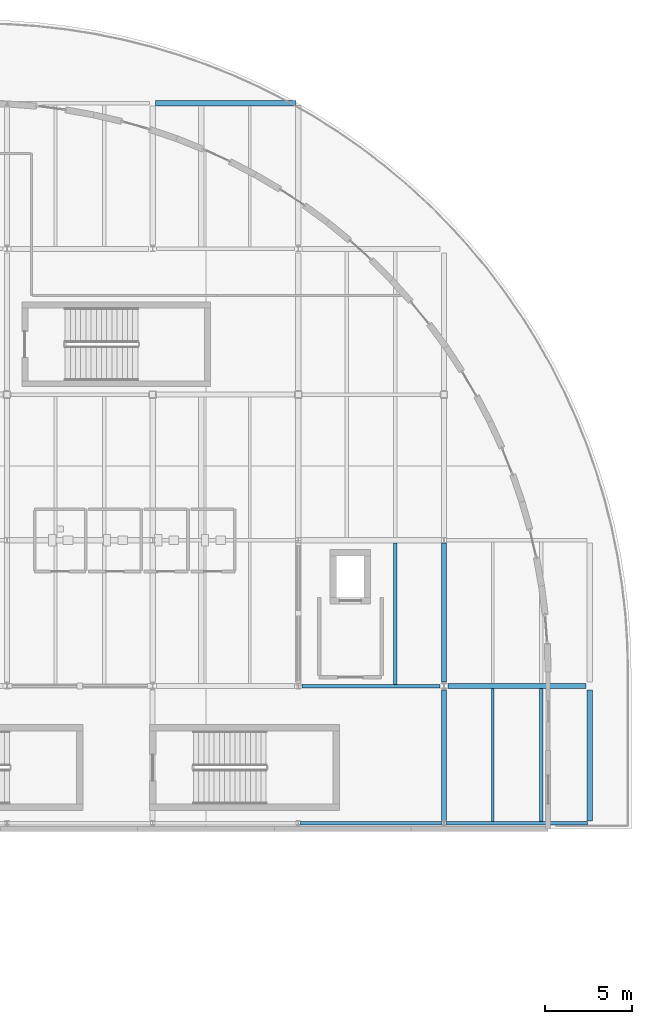
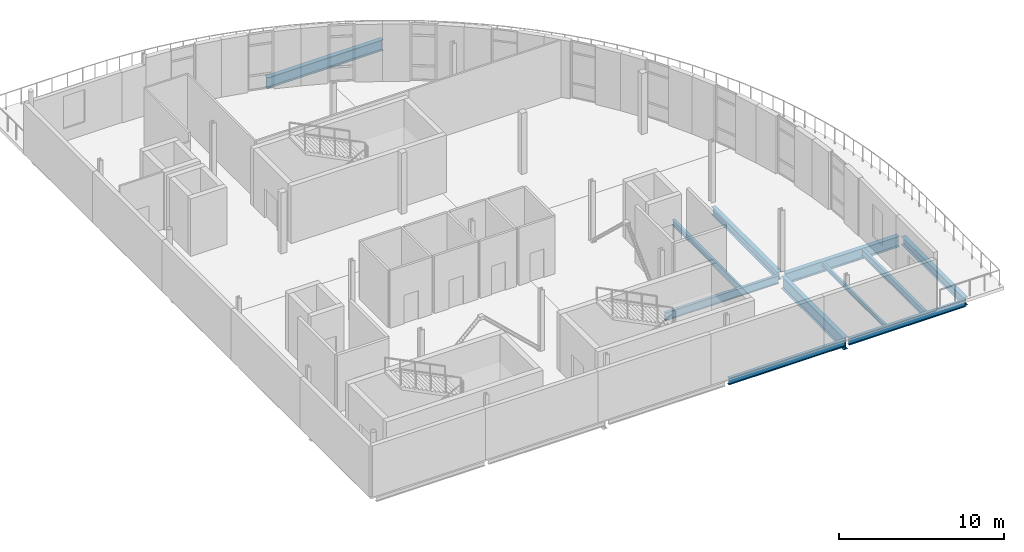
# One storey, part 12 of 40: 11 beams.
"""IFC4 building model written with IfcOpenShell, lengths in metres."""

from ifc_helpers import new_model, si_unit, direction, frame, origin, origin_2d, place, context, subcontext, project, spatial, i_section, extrude, material, material_profile, profile_set, type_object, element, save


model = new_model("IFC4")

# Units and contexts
model_context = context("Model", 3, precision=1e-05, world=origin(), true_north=direction((0.0, 1.0)))
body_context = subcontext(model_context, "Body", "Model", "MODEL_VIEW")
ifc_project = project(units=[si_unit("LENGTHUNIT", "METRE"), si_unit("AREAUNIT", "SQUARE_METRE"), si_unit("VOLUMEUNIT", "CUBIC_METRE"), si_unit("PLANEANGLEUNIT", "RADIAN"), si_unit("MASSUNIT", "GRAM", prefix="KILO"), si_unit("THERMODYNAMICTEMPERATUREUNIT", "KELVIN")], contexts=[model_context])

# Site, building, storey
site_placement = place(None, origin())
site = spatial("IfcSite", under=ifc_project, at=site_placement, CompositionType="ELEMENT")
building_placement = place(site_placement, origin())
building = spatial("IfcBuilding", under=site, at=building_placement, Name="Lustrewick Department Store", CompositionType="ELEMENT")
storey_placement = place(building_placement, frame((0.0, 0.0, 31.800048828125)))
storey = spatial("IfcBuildingStorey", under=building, at=storey_placement, Name="L07", CompositionType="ELEMENT", Elevation=31.800048828125)

# Beams
ifc_material_1 = material(Name="Structural steel Q355B", Category="steel")
ifc_material_profile_1 = material_profile(ifc_material_1, i_section(OverallWidth=0.199951171875, OverallDepth=0.5, WebThickness=0.010009765625, FlangeThickness=0.01611328125, FilletRadius=0.01611328125, at=origin_2d()), Name="HN 500x200x10x16")
ifc_profile_set_1 = profile_set([ifc_material_profile_1], Name="Structural steel Q355B")
beam_type_1 = type_object("IfcBeamType", Name="B01", PredefinedType="JOIST", material=ifc_profile_set_1)
beam_1_placement = place(storey_placement, frame((148.39990234375, 51.00048828125, -0.505126953125), z_axis=(0.0, 1.0, 0.0), x_axis=(-1.0, 0.0, 0.0)))
element("IfcBeam", 1, at=beam_1_placement, inside=storey, type_object=beam_type_1, Name="L07 V4 Secondary Joist B01", PredefinedType="JOIST", context=body_context, shape_type="SweptSolid", body=[
    extrude(i_section(OverallWidth=0.199951171875, OverallDepth=0.5, WebThickness=0.010009765625, FlangeThickness=0.01611328125, FilletRadius=0.01611328125, at=origin_2d()), origin(), (0.0, 0.0, 1.0), 7.6494140625),
])
ifc_material_profile_2 = material_profile(ifc_material_1, i_section(OverallWidth=0.198974609375, OverallDepth=0.39599609375, WebThickness=0.007080078125, FlangeThickness=0.010986328125, FilletRadius=0.013916015625, at=origin_2d()), Name="HN 396x199x7x11")
ifc_profile_set_2 = profile_set([ifc_material_profile_2], Name="Structural steel Q355B")
beam_type_2 = type_object("IfcBeamType", Name="B06", PredefinedType="JOIST", material=ifc_profile_set_2)
beam_2_placement = place(storey_placement, frame((140.0, 58.900390625, -0.453125), z_axis=(0.0, 1.0, 0.0), x_axis=(-1.0, 0.0, 0.0)))
element("IfcBeam", 2, at=beam_2_placement, inside=storey, type_object=beam_type_2, Name="L07 V4 Secondary Joist B06", PredefinedType="JOIST", context=body_context, shape_type="SweptSolid", body=[
    extrude(i_section(OverallWidth=0.198974609375, OverallDepth=0.39599609375, WebThickness=0.007080078125, FlangeThickness=0.010986328125, FilletRadius=0.013916015625, at=origin_2d()), origin(), (0.0, 0.0, 1.0), 8.149658203125),
])
ifc_material_profile_3 = material_profile(ifc_material_1, i_section(OverallWidth=0.14990234375, OverallDepth=0.300048828125, WebThickness=0.006591796875, FlangeThickness=0.009033203125, FilletRadius=0.011962890625, at=origin_2d()), Name="HN 300x150x6.5x9")
ifc_profile_set_3 = profile_set([ifc_material_profile_3], Name="Structural steel Q355B")
beam_type_3 = type_object("IfcBeamType", Name="B11", PredefinedType="JOIST", material=ifc_profile_set_3)
beam_3_placement = place(storey_placement, frame((145.60009765625, 51.00048828125, -0.405029296875), z_axis=(0.0, 1.0, 0.0), x_axis=(-1.0, 0.0, 0.0)))
element("IfcBeam", 3, at=beam_3_placement, inside=storey, type_object=beam_type_3, Name="L07 V4 Secondary Joist B11", PredefinedType="JOIST", context=body_context, shape_type="SweptSolid", body=[
    extrude(i_section(OverallWidth=0.14990234375, OverallDepth=0.300048828125, WebThickness=0.006591796875, FlangeThickness=0.009033203125, FilletRadius=0.011962890625, at=origin_2d()), origin(), (0.0, 0.0, 1.0), 7.6494140625),
])
ifc_material_2 = material(Name="Structural steel Q355C", Category="steel")
ifc_material_profile_4 = material_profile(ifc_material_2, i_section(OverallWidth=0.300048828125, OverallDepth=0.89990234375, WebThickness=0.01611328125, FlangeThickness=0.028076171875, FilletRadius=0.02392578125, at=origin_2d()), Name="HN 900x300x16x28")
ifc_profile_set_4 = profile_set([ifc_material_profile_4], Name="Structural steel Q355C")
beam_type_4 = type_object("IfcBeamType", Name="G02", PredefinedType="BEAM", material=ifc_profile_set_4)
beam_4_placement = place(storey_placement, frame((142.800048828125, 51.02490234375, -0.705078125), z_axis=(0.0, 1.0, 0.0), x_axis=(-1.0, 0.0, 0.0)))
element("IfcBeam", 4, at=beam_4_placement, inside=storey, type_object=beam_type_4, Name="L07 V4 Girder G02", PredefinedType="BEAM", context=body_context, shape_type="SweptSolid", body=[
    extrude(i_section(OverallWidth=0.300048828125, OverallDepth=0.89990234375, WebThickness=0.01611328125, FlangeThickness=0.028076171875, FilletRadius=0.02392578125, at=origin_2d()), origin(), (0.0, 0.0, 1.0), 7.550048828125),
])
ifc_material_profile_5 = material_profile(ifc_material_2, i_section(OverallWidth=0.302001953125, OverallDepth=0.80810546875, WebThickness=0.01611328125, FlangeThickness=0.030029296875, FilletRadius=0.02197265625, at=origin_2d()), Name="HN 808x302x16x30")
ifc_profile_set_5 = profile_set([ifc_material_profile_5], Name="Structural steel Q355C")
beam_type_5 = type_object("IfcBeamType", Name="G04", PredefinedType="BEAM", material=ifc_profile_set_5)
beam_5_placement = place(storey_placement, frame((126.174072265625, 92.39990234375, -0.658935546875), z_axis=(1.0, 0.0, 0.0), x_axis=(0.0, 1.0, 0.0)))
element("IfcBeam", 5, at=beam_5_placement, inside=storey, type_object=beam_type_5, Name="L07 V4 Girder G04", PredefinedType="BEAM", context=body_context, shape_type="SweptSolid", body=[
    extrude(i_section(OverallWidth=0.302001953125, OverallDepth=0.80810546875, WebThickness=0.01611328125, FlangeThickness=0.030029296875, FilletRadius=0.02197265625, at=origin_2d()), origin(), (0.0, 0.0, 1.0), 8.100830078125),
])
ifc_material_profile_6 = material_profile(ifc_material_1, i_section(OverallWidth=0.300048828125, OverallDepth=0.800048828125, WebThickness=0.013916015625, FlangeThickness=0.02587890625, FilletRadius=0.02197265625, at=origin_2d()), Name="HN 800x300x14x26")
ifc_profile_set_6 = profile_set([ifc_material_profile_6], Name="Structural steel Q355B")
beam_type_6 = type_object("IfcBeamType", Name="G05", PredefinedType="BEAM", material=ifc_profile_set_6)
beam_6_placement = place(storey_placement, frame((143.02490234375, 58.800048828125, -0.655029296875), z_axis=(1.0, 0.0, 0.0), x_axis=(0.0, 1.0, 0.0)))
element("IfcBeam", 6, at=beam_6_placement, inside=storey, type_object=beam_type_6, Name="L07 V4 Girder G05", PredefinedType="BEAM", context=body_context, shape_type="SweptSolid", body=[
    extrude(i_section(OverallWidth=0.300048828125, OverallDepth=0.800048828125, WebThickness=0.013916015625, FlangeThickness=0.02587890625, FilletRadius=0.02197265625, at=origin_2d()), origin(), (0.0, 0.0, 1.0), 7.9501953125),
])
ifc_material_profile_7 = material_profile(ifc_material_1, i_section(OverallWidth=0.302001953125, OverallDepth=0.593994140625, WebThickness=0.013916015625, FlangeThickness=0.02294921875, FilletRadius=0.02392578125, at=origin_2d()), Name="HM 594x302x14x23")
ifc_profile_set_7 = profile_set([ifc_material_profile_7], Name="Structural steel Q355B")
beam_type_7 = type_object("IfcBeamType", Name="G10", PredefinedType="BEAM", material=ifc_profile_set_7)
beam_7_placement = place(storey_placement, frame((142.800048828125, 59.02490234375, -0.552001953125), z_axis=(0.0, 1.0, 0.0), x_axis=(-1.0, 0.0, 0.0)))
element("IfcBeam", 7, at=beam_7_placement, inside=storey, type_object=beam_type_7, Name="L07 V4 Girder G10", PredefinedType="BEAM", context=body_context, shape_type="SweptSolid", body=[
    extrude(i_section(OverallWidth=0.302001953125, OverallDepth=0.593994140625, WebThickness=0.013916015625, FlangeThickness=0.02294921875, FilletRadius=0.02392578125, at=origin_2d()), origin(), (0.0, 0.0, 1.0), 8.025146484375),
])
beam_8_placement = place(storey_placement, frame((151.199951171875, 51.02490234375, -0.552001953125), z_axis=(0.0, 1.0, 0.0), x_axis=(-1.0, 0.0, 0.0)))
element("IfcBeam", 8, at=beam_8_placement, inside=storey, type_object=beam_type_7, Name="L07 V4 Girder G10", PredefinedType="BEAM", context=body_context, shape_type="SweptSolid", body=[
    extrude(i_section(OverallWidth=0.302001953125, OverallDepth=0.593994140625, WebThickness=0.013916015625, FlangeThickness=0.02294921875, FilletRadius=0.02392578125, at=origin_2d()), origin(), (0.0, 0.0, 1.0), 7.550048828125),
])
ifc_material_profile_8 = material_profile(ifc_material_1, i_section(OverallWidth=0.200927734375, OverallDepth=0.60595703125, WebThickness=0.011962890625, FlangeThickness=0.02001953125, FilletRadius=0.01806640625, at=origin_2d()), Name="HN 606x201x12x20")
ifc_profile_set_8 = profile_set([ifc_material_profile_8], Name="Structural steel Q355B")
beam_type_8 = type_object("IfcBeamType", Name="G13", PredefinedType="BEAM", material=ifc_profile_set_8)
beam_9_placement = place(storey_placement, frame((134.625, 58.800048828125, -0.55810546875), z_axis=(1.0, 0.0, 0.0), x_axis=(0.0, 1.0, 0.0)))
element("IfcBeam", 9, at=beam_9_placement, inside=storey, type_object=beam_type_8, Name="L07 V4 Girder G13", PredefinedType="BEAM", context=body_context, shape_type="SweptSolid", body=[
    extrude(i_section(OverallWidth=0.200927734375, OverallDepth=0.60595703125, WebThickness=0.011962890625, FlangeThickness=0.02001953125, FilletRadius=0.01806640625, at=origin_2d()), origin(), (0.0, 0.0, 1.0), 7.949951171875),
])
ifc_material_profile_9 = material_profile(ifc_material_1, i_section(OverallWidth=0.200927734375, OverallDepth=0.506103515625, WebThickness=0.010986328125, FlangeThickness=0.01904296875, FilletRadius=0.01611328125, at=origin_2d()), Name="HN 506x201x11x19")
ifc_profile_set_9 = profile_set([ifc_material_profile_9], Name="Structural steel Q355B")
beam_type_9 = type_object("IfcBeamType", Name="SP01", PredefinedType="SPANDREL", material=ifc_profile_set_9)
beam_10_placement = place(storey_placement, frame((134.52490234375, 50.89990234375, -0.508056640625), z_axis=(1.0, 0.0, 0.0), x_axis=(0.0, 1.0, 0.0)))
element("IfcBeam", 10, at=beam_10_placement, inside=storey, type_object=beam_type_9, Name="L07 V4 Girder SP01", PredefinedType="SPANDREL", context=body_context, shape_type="SweptSolid", body=[
    extrude(i_section(OverallWidth=0.200927734375, OverallDepth=0.506103515625, WebThickness=0.010986328125, FlangeThickness=0.01904296875, FilletRadius=0.01611328125, at=origin_2d()), origin(), (0.0, 0.0, 1.0), 8.150146484375),
])
beam_11_placement = place(storey_placement, frame((142.925048828125, 50.89990234375, -0.508056640625), z_axis=(1.0, 0.0, 0.0), x_axis=(0.0, 1.0, 0.0)))
element("IfcBeam", 11, at=beam_11_placement, inside=storey, type_object=beam_type_9, Name="L07 V4 Girder SP01", PredefinedType="SPANDREL", context=body_context, shape_type="SweptSolid", body=[
    extrude(i_section(OverallWidth=0.200927734375, OverallDepth=0.506103515625, WebThickness=0.010986328125, FlangeThickness=0.01904296875, FilletRadius=0.01611328125, at=origin_2d()), origin(), (0.0, 0.0, 1.0), 8.14990234375),
])

save(model, "model.ifc")
